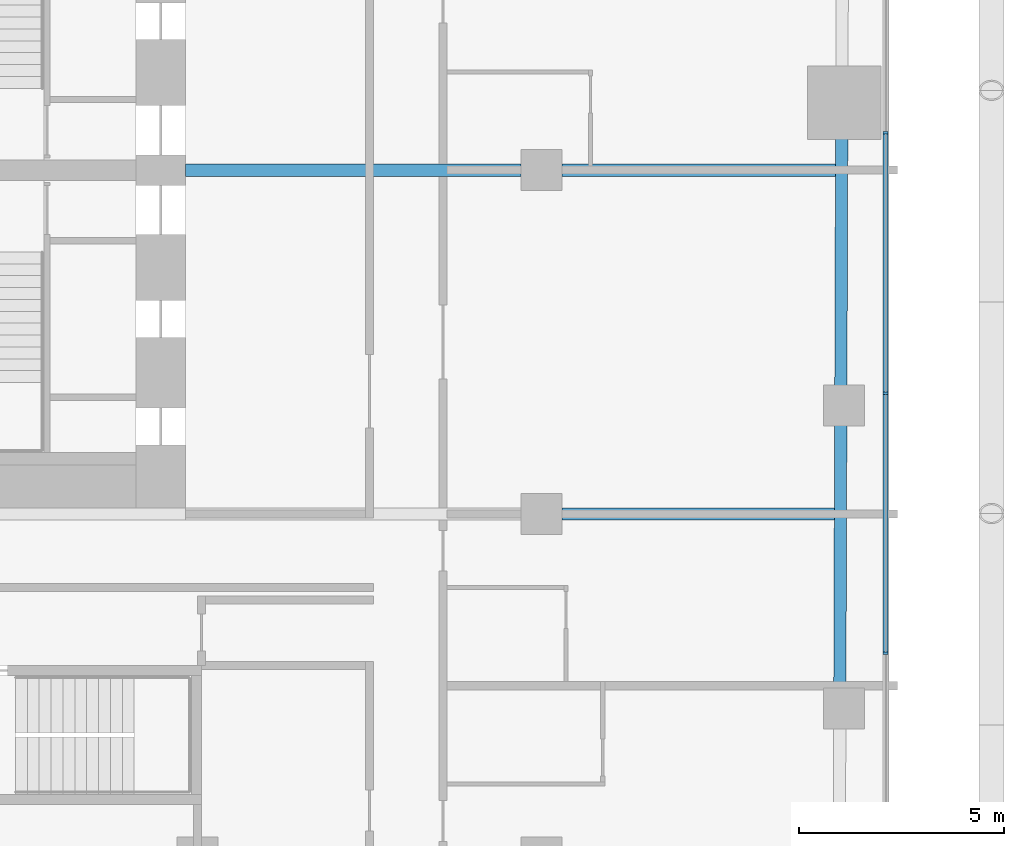
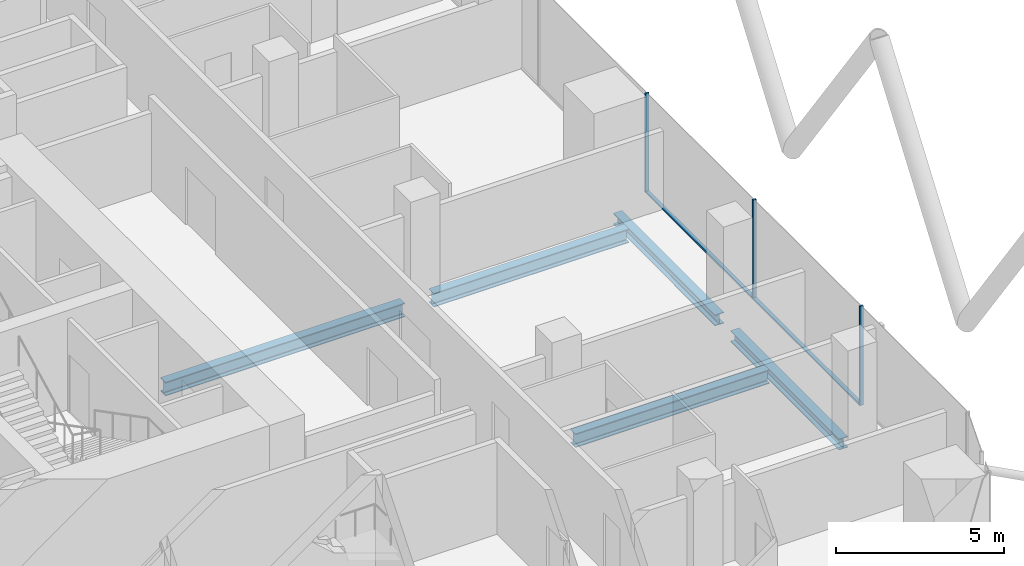
# One storey, part 8 of 34: 5 beams, 5 members, 1 element without a shape of its own.
"""IFC4 building model written with IfcOpenShell, lengths in metres."""

from ifc_helpers import new_model, si_unit, direction, frame, origin, origin_2d, place, context, subcontext, project, spatial, rectangle, i_section, extrude, material, layer, layer_set, material_profile, profile_set, type_object, element, aggregate, save


model = new_model("IFC4")

# Units and contexts
model_context = context("Model", 3, precision=1e-05, world=origin(), true_north=direction((0.0, 1.0)))
body_context = subcontext(model_context, "Body", "Model", "MODEL_VIEW")
ifc_project = project(units=[si_unit("LENGTHUNIT", "METRE"), si_unit("AREAUNIT", "SQUARE_METRE"), si_unit("VOLUMEUNIT", "CUBIC_METRE"), si_unit("PLANEANGLEUNIT", "RADIAN"), si_unit("MASSUNIT", "GRAM", prefix="KILO")], contexts=[model_context])

# Site, building, storey
site_placement = place(None, origin())
site = spatial("IfcSite", under=ifc_project, at=site_placement, CompositionType="ELEMENT")
building_placement = place(site_placement, origin())
building = spatial("IfcBuilding", under=site, at=building_placement, Name="Marenta Gate Hotel Tower", CompositionType="ELEMENT")
storey_placement = place(building_placement, frame((0.0, 0.0, 76.10009765625)))
storey = spatial("IfcBuildingStorey", under=building, at=storey_placement, Name="L17", CompositionType="ELEMENT", Elevation=76.10009765625)

# Beams
ifc_material_1 = material(Name="Steel S355", Category="steel")
ifc_material_profile_1 = material_profile(ifc_material_1, i_section(OverallWidth=0.300048828125, OverallDepth=0.39990234375, WebThickness=0.013427734375, FlangeThickness=0.02392578125, FilletRadius=0.027099609375, at=origin_2d()), Name="HEB 400")
ifc_profile_set_1 = profile_set([ifc_material_profile_1], Name="Steel S355")
beam_type_1 = type_object("IfcBeamType", Name="Edge beam HEB 400", PredefinedType="SPANDREL", material=ifc_profile_set_1)
beam_1_placement = place(storey_placement, frame((28.3388671875, 9.18994140625, -0.460205078125), z_axis=(-0.003332378012, -0.999994447613, 0.0), x_axis=(0.999994447613, -0.003332378012, 0.0)))
element("IfcBeam", 1, at=beam_1_placement, inside=storey, type_object=beam_type_1, Name="L17-EB-25", PredefinedType="SPANDREL", context=body_context, shape_type="SweptSolid", body=[
    extrude(i_section(OverallWidth=0.300048828125, OverallDepth=0.39990234375, WebThickness=0.013427734375, FlangeThickness=0.02392578125, FilletRadius=0.027099609375, at=origin_2d()), origin(), (0.0, 0.0, 1.0), 6.080810546875),
])
beam_2_placement = place(storey_placement, frame((28.315673828125, 2.189208984375, -0.460205078125), z_axis=(-0.003352525703, -0.99999438027, 0.0), x_axis=(0.99999438027, -0.003352525703, 0.0)))
element("IfcBeam", 2, at=beam_2_placement, inside=storey, type_object=beam_type_1, Name="L17-EB-26", PredefinedType="SPANDREL", context=body_context, shape_type="SweptSolid", body=[
    extrude(i_section(OverallWidth=0.300048828125, OverallDepth=0.39990234375, WebThickness=0.013427734375, FlangeThickness=0.02392578125, FilletRadius=0.027099609375, at=origin_2d()), origin(), (0.0, 0.0, 1.0), 6.481201171875),
])
ifc_material_2 = material(Name="Steel S355", Category="steel")
ifc_material_profile_2 = material_profile(ifc_material_2, i_section(OverallWidth=0.300048828125, OverallDepth=0.5, WebThickness=0.014404296875, FlangeThickness=0.028076171875, FilletRadius=0.027099609375, at=origin_2d()), Name="HEB 500")
ifc_profile_set_2 = profile_set([ifc_material_profile_2], Name="Steel S355")
beam_type_2 = type_object("IfcBeamType", Name="Girder HEB 500", PredefinedType="BEAM", material=ifc_profile_set_2)
beam_3_placement = place(storey_placement, frame((21.5, 0.0, -0.510009765625), z_axis=(1.0, 0.0, 0.0), x_axis=(0.0, 1.0, 0.0)))
element("IfcBeam", 3, at=beam_3_placement, inside=storey, type_object=beam_type_2, Name="L17-GD-12", PredefinedType="BEAM", context=body_context, shape_type="SweptSolid", body=[
    extrude(i_section(OverallWidth=0.300048828125, OverallDepth=0.5, WebThickness=0.014404296875, FlangeThickness=0.028076171875, FilletRadius=0.027099609375, at=origin_2d()), origin(), (0.0, 0.0, 1.0), 6.658203125),
])
beam_4_placement = place(storey_placement, frame((12.300048828125, 8.39990234375, -0.510009765625), z_axis=(1.0, 0.0, 0.0), x_axis=(0.0, 1.0, 0.0)))
element("IfcBeam", 4, at=beam_4_placement, inside=storey, type_object=beam_type_2, Name="L17-GD-15", PredefinedType="BEAM", context=body_context, shape_type="SweptSolid", body=[
    extrude(i_section(OverallWidth=0.300048828125, OverallDepth=0.5, WebThickness=0.014404296875, FlangeThickness=0.028076171875, FilletRadius=0.027099609375, at=origin_2d()), origin(), (0.0, 0.0, 1.0), 8.199951171875),
])
beam_5_placement = place(storey_placement, frame((21.5, 8.39990234375, -0.510009765625), z_axis=(1.0, 0.0, 0.0), x_axis=(0.0, 1.0, 0.0)))
element("IfcBeam", 5, at=beam_5_placement, inside=storey, type_object=beam_type_2, Name="L17-GD-16", PredefinedType="BEAM", context=body_context, shape_type="SweptSolid", body=[
    extrude(i_section(OverallWidth=0.300048828125, OverallDepth=0.5, WebThickness=0.014404296875, FlangeThickness=0.028076171875, FilletRadius=0.027099609375, at=origin_2d()), origin(), (0.0, 0.0, 1.0), 6.686279296875),
])

# Curtain wall, members
ifc_material_3 = material(Name="Tinted insulated glass in bronze anodised frame", Category="glass")
ifc_layer = layer(ifc_material_3, 0.1201171875)
ifc_layer_set = layer_set([ifc_layer], Name="Tinted insulated glass in bronze anodised frame")
curtain_wall_type = type_object("IfcCurtainWallType", Name="Tower unitised curtain wall CW1", PredefinedType="NOTDEFINED", material=ifc_layer_set)
curtain_wall_placement = place(storey_placement, origin())
curtain_wall = element("IfcCurtainWall", 6, at=curtain_wall_placement, inside=storey, type_object=curtain_wall_type, Name="CW1 run G18", PredefinedType="NOTDEFINED")
ifc_material_4 = material(Name="Bronze anodised aluminium", Category="aluminium")
ifc_material_profile_3 = material_profile(ifc_material_4, rectangle(XDim=0.1201171875, YDim=0.06005859375, at=origin_2d()), Name="Mullion CW1 60x120 bronze anodised aluminium")
ifc_profile_set_3 = profile_set([ifc_material_profile_3], Name="Bronze anodised aluminium")
member_type_1 = type_object("IfcMemberType", Name="Mullion CW1 60x120 bronze anodised aluminium", PredefinedType="MULLION", material=ifc_profile_set_3)
member_1_placement = place(storey_placement, frame((29.4140625, -3.407958984375, 0.0), z_axis=(0.0, 0.0, 1.0), x_axis=(-1.0, 0.0, 0.0)))
member_1 = element("IfcMember", 7, at=member_1_placement, type_object=member_type_1, Name="CW1 mullion 2", PredefinedType="MULLION", context=body_context, shape_type="SweptSolid", body=[
    extrude(rectangle(XDim=0.1201171875, YDim=0.06005859375, at=origin_2d()), origin(), (0.0, 0.0, 1.0), 3.599853515625),
])
member_2_placement = place(storey_placement, frame((29.4140625, 2.951904296875, 0.0), z_axis=(0.0, 0.0, 1.0), x_axis=(-1.0, 0.0, 0.0)))
member_2 = element("IfcMember", 8, at=member_2_placement, type_object=member_type_1, Name="CW1 mullion 3", PredefinedType="MULLION", context=body_context, shape_type="SweptSolid", body=[
    extrude(rectangle(XDim=0.1201171875, YDim=0.06005859375, at=origin_2d()), origin(), (0.0, 0.0, 1.0), 3.599853515625),
])
member_3_placement = place(storey_placement, frame((29.4140625, 9.31201171875, 0.0), z_axis=(0.0, 0.0, 1.0), x_axis=(-1.0, 0.0, 0.0)))
member_3 = element("IfcMember", 9, at=member_3_placement, type_object=member_type_1, Name="CW1 mullion 4", PredefinedType="MULLION", context=body_context, shape_type="SweptSolid", body=[
    extrude(rectangle(XDim=0.1201171875, YDim=0.06005859375, at=origin_2d()), origin(), (0.0, 0.0, 1.0), 3.599853515625),
])
ifc_material_5 = material(Name="Bronze anodised aluminium", Category="aluminium")
ifc_material_profile_4 = material_profile(ifc_material_5, rectangle(XDim=0.1201171875, YDim=0.06005859375, at=origin_2d()), Name="Transom CW1 60x120 bronze anodised aluminium")
ifc_profile_set_4 = profile_set([ifc_material_profile_4], Name="Bronze anodised aluminium")
member_type_2 = type_object("IfcMemberType", Name="Transom CW1 60x120 bronze anodised aluminium", PredefinedType="USERDEFINED", material=ifc_profile_set_4)
member_4_placement = place(storey_placement, frame((29.4140625, -3.3779296875, 0.02978515625), z_axis=(0.0, 1.0, 0.0), x_axis=(-1.0, 0.0, 0.0)))
member_4 = element("IfcMember", 10, at=member_4_placement, type_object=member_type_2, Name="CW1 transom 2.1", ObjectType="TRANSOM", PredefinedType="USERDEFINED", context=body_context, shape_type="SweptSolid", body=[
    extrude(rectangle(XDim=0.1201171875, YDim=0.06005859375, at=origin_2d()), origin(), (0.0, 0.0, 1.0), 6.2998046875),
])
member_5_placement = place(storey_placement, frame((29.4140625, 2.98193359375, 0.02978515625), z_axis=(0.0, 1.0, 0.0), x_axis=(-1.0, 0.0, 0.0)))
member_5 = element("IfcMember", 11, at=member_5_placement, type_object=member_type_2, Name="CW1 transom 3.1", ObjectType="TRANSOM", PredefinedType="USERDEFINED", context=body_context, shape_type="SweptSolid", body=[
    extrude(rectangle(XDim=0.1201171875, YDim=0.06005859375, at=origin_2d()), origin(), (0.0, 0.0, 1.0), 6.300048828125),
])
aggregate(curtain_wall, [member_1, member_2, member_3, member_4, member_5])

save(model, "model.ifc")
